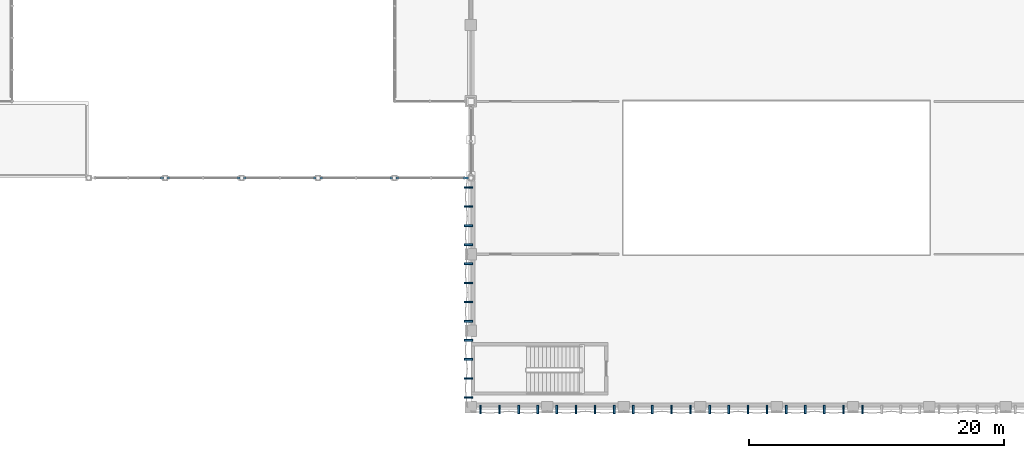
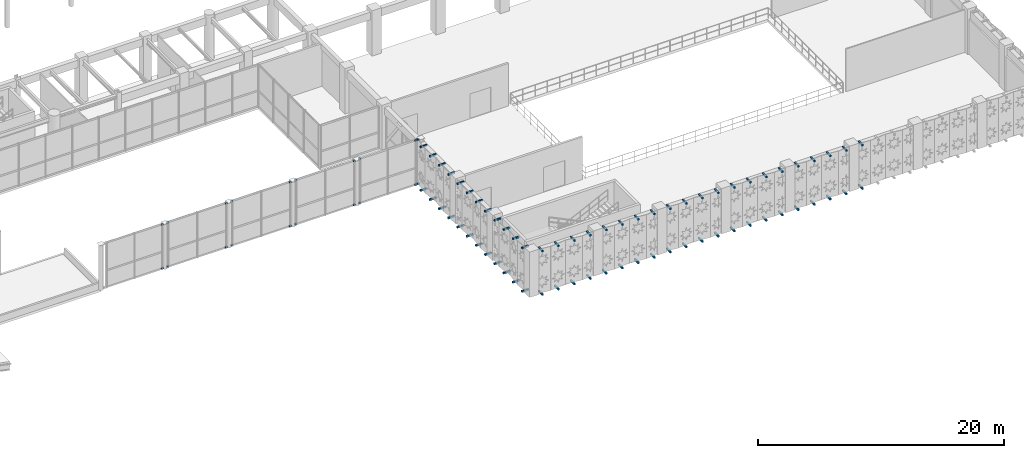
# One storey, part 115 of 133: 84 discrete accessories.
"""IFC4 building model written with IfcOpenShell, lengths in metres."""

from ifc_helpers import new_model, si_unit, direction, frame, origin, origin_2d, place, context, subcontext, project, spatial, rectangle, extrude, material, type_object, element, save


model = new_model("IFC4")

# Units and contexts
model_context = context("Model", 3, precision=1e-05, world=origin(), true_north=direction((0.0, 1.0)))
body_context = subcontext(model_context, "Body", "Model", "MODEL_VIEW")
ifc_project = project(units=[si_unit("LENGTHUNIT", "METRE"), si_unit("AREAUNIT", "SQUARE_METRE"), si_unit("VOLUMEUNIT", "CUBIC_METRE"), si_unit("PLANEANGLEUNIT", "RADIAN"), si_unit("MASSUNIT", "GRAM", prefix="KILO"), si_unit("THERMODYNAMICTEMPERATUREUNIT", "KELVIN"), si_unit("POWERUNIT", "WATT")], contexts=[model_context])

# Site, building, storey
site_placement = place(None, origin())
site = spatial("IfcSite", under=ifc_project, at=site_placement, CompositionType="ELEMENT")
building_placement = place(site_placement, origin())
building = spatial("IfcBuilding", under=site, at=building_placement, Name="Phaisarnlok Congress Hotel", CompositionType="ELEMENT")
storey_placement = place(building_placement, frame((0.0, 0.0, 6.0)))
storey = spatial("IfcBuildingStorey", under=building, at=storey_placement, Name="L01", CompositionType="ELEMENT", Elevation=6.0)

# Discrete accessories
ifc_material = material(Name="Steel S355", Category="steel")
discrete_accessory_type = type_object("IfcDiscreteAccessoryType", Name="ACC-BRK-STL", PredefinedType="BRACKET", material=ifc_material)
for number, where, z_axis, x_axis, name in (
    (1, (71.75, 18.0, -0.009765625), (0.0, 0.0, 1.0), (1.0, 0.0, 0.0), "Curtain wall steel jamb spider bracket BK-01"),
    (2, (71.75, 18.0, 4.35986328125), (0.0, 0.0, 1.0), (1.0, 0.0, 0.0), "Curtain wall steel jamb spider bracket BK-01"),
    (3, (72.25, 18.0, -0.009765625), (0.0, 0.0, 1.0), (1.0, 0.0, 0.0), "Curtain wall steel jamb spider bracket BK-01"),
    (4, (72.25, 18.0, 4.35986328125), (0.0, 0.0, 1.0), (1.0, 0.0, 0.0), "Curtain wall steel jamb spider bracket BK-01"),
    (5, (77.75, 18.0, -0.009765625), (0.0, 0.0, 1.0), (1.0, 0.0, 0.0), "Curtain wall steel jamb spider bracket BK-01"),
    (6, (77.75, 18.0, 4.35986328125), (0.0, 0.0, 1.0), (1.0, 0.0, 0.0), "Curtain wall steel jamb spider bracket BK-01"),
    (7, (78.25, 18.0, -0.009765625), (0.0, 0.0, 1.0), (1.0, 0.0, 0.0), "Curtain wall steel jamb spider bracket BK-01"),
    (8, (78.25, 18.0, 4.35986328125), (0.0, 0.0, 1.0), (1.0, 0.0, 0.0), "Curtain wall steel jamb spider bracket BK-01"),
    (9, (83.75, 18.0, -0.009765625), (0.0, 0.0, 1.0), (1.0, 0.0, 0.0), "Curtain wall steel jamb spider bracket BK-01"),
    (10, (83.75, 18.0, 4.35986328125), (0.0, 0.0, 1.0), (1.0, 0.0, 0.0), "Curtain wall steel jamb spider bracket BK-01"),
    (11, (84.25, 18.0, -0.009765625), (0.0, 0.0, 1.0), (1.0, 0.0, 0.0), "Curtain wall steel jamb spider bracket BK-01"),
    (12, (84.25, 18.0, 4.35986328125), (0.0, 0.0, 1.0), (1.0, 0.0, 0.0), "Curtain wall steel jamb spider bracket BK-01"),
    (13, (89.75, 18.0, -0.009765625), (0.0, 0.0, 1.0), (1.0, 0.0, 0.0), "Curtain wall steel jamb spider bracket BK-01"),
    (14, (89.75, 18.0, 4.35986328125), (0.0, 0.0, 1.0), (1.0, 0.0, 0.0), "Curtain wall steel jamb spider bracket BK-01"),
    (15, (90.25, 18.0, -0.009765625), (0.0, 0.0, 1.0), (1.0, 0.0, 0.0), "Curtain wall steel jamb spider bracket BK-01"),
    (16, (90.25, 18.0, 4.35986328125), (0.0, 0.0, 1.0), (1.0, 0.0, 0.0), "Curtain wall steel jamb spider bracket BK-01"),
):
    element("IfcDiscreteAccessory", number, at=place(storey_placement, frame(where, z_axis=z_axis, x_axis=x_axis)), inside=storey, type_object=discrete_accessory_type, Name=name, PredefinedType="BRACKET", context=body_context, shape_type="SweptSolid", body=[
        extrude(rectangle(XDim=0.219970703125, YDim=0.159912109375, at=origin_2d()), origin(), (0.0, 0.0, 1.0), 0.139892578125),
    ])
for number, where, z_axis, x_axis, name in (
    (17, (95.6298828125, 18.0, -0.009765625), (0.0, 0.0, 1.0), (1.0, 0.0, 0.0), "Curtain wall steel jamb spider bracket BK-01"),
    (18, (95.6298828125, 18.0, 4.35986328125), (0.0, 0.0, 1.0), (1.0, 0.0, 0.0), "Curtain wall steel jamb spider bracket BK-01"),
):
    element("IfcDiscreteAccessory", number, at=place(storey_placement, frame(where, z_axis=z_axis, x_axis=x_axis)), inside=storey, type_object=discrete_accessory_type, Name=name, PredefinedType="BRACKET", context=body_context, shape_type="SweptSolid", body=[
        extrude(rectangle(XDim=0.4599609375, YDim=0.159912109375, at=origin_2d()), origin(), (0.0, 0.0, 1.0), 0.139892578125),
    ])
for number, where, z_axis, x_axis, name in (
    (19, (96.75, -0.183837890625, -0.18017578125), (0.0, 0.0, 1.0), (1.0, 0.0, 0.0), "Solar screen steel outrigger bracket BK-01"),
    (20, (96.75, -0.183837890625, 4.1201171875), (0.0, 0.0, 1.0), (1.0, 0.0, 0.0), "Solar screen steel outrigger bracket BK-01"),
    (21, (98.25, -0.183837890625, -0.18017578125), (0.0, 0.0, 1.0), (1.0, 0.0, 0.0), "Solar screen steel outrigger bracket BK-01"),
    (22, (98.25, -0.183837890625, 4.1201171875), (0.0, 0.0, 1.0), (1.0, 0.0, 0.0), "Solar screen steel outrigger bracket BK-01"),
    (23, (99.75, -0.183837890625, -0.18017578125), (0.0, 0.0, 1.0), (1.0, 0.0, 0.0), "Solar screen steel outrigger bracket BK-01"),
    (24, (99.75, -0.183837890625, 4.1201171875), (0.0, 0.0, 1.0), (1.0, 0.0, 0.0), "Solar screen steel outrigger bracket BK-01"),
    (25, (101.25, -0.183837890625, -0.18017578125), (0.0, 0.0, 1.0), (1.0, 0.0, 0.0), "Solar screen steel outrigger bracket BK-01"),
    (26, (101.25, -0.183837890625, 4.1201171875), (0.0, 0.0, 1.0), (1.0, 0.0, 0.0), "Solar screen steel outrigger bracket BK-01"),
    (27, (102.75, -0.183837890625, -0.18017578125), (0.0, 0.0, 1.0), (1.0, 0.0, 0.0), "Solar screen steel outrigger bracket BK-01"),
    (28, (102.75, -0.183837890625, 4.1201171875), (0.0, 0.0, 1.0), (1.0, 0.0, 0.0), "Solar screen steel outrigger bracket BK-01"),
    (29, (104.25, -0.183837890625, -0.18017578125), (0.0, 0.0, 1.0), (1.0, 0.0, 0.0), "Solar screen steel outrigger bracket BK-01"),
    (30, (104.25, -0.183837890625, 4.1201171875), (0.0, 0.0, 1.0), (1.0, 0.0, 0.0), "Solar screen steel outrigger bracket BK-01"),
    (31, (105.75, -0.183837890625, -0.18017578125), (0.0, 0.0, 1.0), (1.0, 0.0, 0.0), "Solar screen steel outrigger bracket BK-01"),
    (32, (105.75, -0.183837890625, 4.1201171875), (0.0, 0.0, 1.0), (1.0, 0.0, 0.0), "Solar screen steel outrigger bracket BK-01"),
    (33, (107.25, -0.183837890625, -0.18017578125), (0.0, 0.0, 1.0), (1.0, 0.0, 0.0), "Solar screen steel outrigger bracket BK-01"),
    (34, (107.25, -0.183837890625, 4.1201171875), (0.0, 0.0, 1.0), (1.0, 0.0, 0.0), "Solar screen steel outrigger bracket BK-01"),
    (35, (108.75, -0.183837890625, -0.18017578125), (0.0, 0.0, 1.0), (1.0, 0.0, 0.0), "Solar screen steel outrigger bracket BK-01"),
    (36, (108.75, -0.183837890625, 4.1201171875), (0.0, 0.0, 1.0), (1.0, 0.0, 0.0), "Solar screen steel outrigger bracket BK-01"),
    (37, (110.25, -0.183837890625, -0.18017578125), (0.0, 0.0, 1.0), (1.0, 0.0, 0.0), "Solar screen steel outrigger bracket BK-01"),
    (38, (110.25, -0.183837890625, 4.1201171875), (0.0, 0.0, 1.0), (1.0, 0.0, 0.0), "Solar screen steel outrigger bracket BK-01"),
    (39, (111.75, -0.183837890625, -0.18017578125), (0.0, 0.0, 1.0), (1.0, 0.0, 0.0), "Solar screen steel outrigger bracket BK-01"),
    (40, (111.75, -0.183837890625, 4.1201171875), (0.0, 0.0, 1.0), (1.0, 0.0, 0.0), "Solar screen steel outrigger bracket BK-01"),
    (41, (113.25, -0.183837890625, -0.18017578125), (0.0, 0.0, 1.0), (1.0, 0.0, 0.0), "Solar screen steel outrigger bracket BK-01"),
    (42, (113.25, -0.183837890625, 4.1201171875), (0.0, 0.0, 1.0), (1.0, 0.0, 0.0), "Solar screen steel outrigger bracket BK-01"),
    (43, (114.75, -0.183837890625, -0.18017578125), (0.0, 0.0, 1.0), (1.0, 0.0, 0.0), "Solar screen steel outrigger bracket BK-01"),
    (44, (114.75, -0.183837890625, 4.1201171875), (0.0, 0.0, 1.0), (1.0, 0.0, 0.0), "Solar screen steel outrigger bracket BK-01"),
    (45, (116.25, -0.183837890625, -0.18017578125), (0.0, 0.0, 1.0), (1.0, 0.0, 0.0), "Solar screen steel outrigger bracket BK-01"),
    (46, (116.25, -0.183837890625, 4.1201171875), (0.0, 0.0, 1.0), (1.0, 0.0, 0.0), "Solar screen steel outrigger bracket BK-01"),
    (47, (117.75, -0.183837890625, -0.18017578125), (0.0, 0.0, 1.0), (1.0, 0.0, 0.0), "Solar screen steel outrigger bracket BK-01"),
    (48, (117.75, -0.183837890625, 4.1201171875), (0.0, 0.0, 1.0), (1.0, 0.0, 0.0), "Solar screen steel outrigger bracket BK-01"),
    (49, (119.25, -0.183837890625, -0.18017578125), (0.0, 0.0, 1.0), (1.0, 0.0, 0.0), "Solar screen steel outrigger bracket BK-01"),
    (50, (119.25, -0.183837890625, 4.1201171875), (0.0, 0.0, 1.0), (1.0, 0.0, 0.0), "Solar screen steel outrigger bracket BK-01"),
    (51, (120.75, -0.183837890625, -0.18017578125), (0.0, 0.0, 1.0), (1.0, 0.0, 0.0), "Solar screen steel outrigger bracket BK-01"),
    (52, (120.75, -0.183837890625, 4.1201171875), (0.0, 0.0, 1.0), (1.0, 0.0, 0.0), "Solar screen steel outrigger bracket BK-01"),
    (53, (122.25, -0.183837890625, -0.18017578125), (0.0, 0.0, 1.0), (1.0, 0.0, 0.0), "Solar screen steel outrigger bracket BK-01"),
    (54, (122.25, -0.183837890625, 4.1201171875), (0.0, 0.0, 1.0), (1.0, 0.0, 0.0), "Solar screen steel outrigger bracket BK-01"),
    (55, (123.75, -0.183837890625, -0.18017578125), (0.0, 0.0, 1.0), (1.0, 0.0, 0.0), "Solar screen steel outrigger bracket BK-01"),
    (56, (123.75, -0.183837890625, 4.1201171875), (0.0, 0.0, 1.0), (1.0, 0.0, 0.0), "Solar screen steel outrigger bracket BK-01"),
    (57, (125.25, -0.183837890625, -0.18017578125), (0.0, 0.0, 1.0), (1.0, 0.0, 0.0), "Solar screen steel outrigger bracket BK-01"),
    (58, (125.25, -0.183837890625, 4.1201171875), (0.0, 0.0, 1.0), (1.0, 0.0, 0.0), "Solar screen steel outrigger bracket BK-01"),
    (59, (126.75, -0.183837890625, -0.18017578125), (0.0, 0.0, 1.0), (1.0, 0.0, 0.0), "Solar screen steel outrigger bracket BK-01"),
    (60, (126.75, -0.183837890625, 4.1201171875), (0.0, 0.0, 1.0), (1.0, 0.0, 0.0), "Solar screen steel outrigger bracket BK-01"),
):
    element("IfcDiscreteAccessory", number, at=place(storey_placement, frame(where, z_axis=z_axis, x_axis=x_axis)), inside=storey, type_object=discrete_accessory_type, Name=name, PredefinedType="BRACKET", context=body_context, shape_type="SweptSolid", body=[
        extrude(rectangle(XDim=0.139892578125, YDim=0.647705078125, at=origin_2d()), origin(), (0.0, 0.0, 1.0), 0.159912109375),
    ])
for number, where, z_axis, x_axis, name in (
    (61, (95.816162109375, 0.75, -0.18017578125), (0.0, 0.0, 1.0), (1.0, 0.0, 0.0), "Solar screen steel outrigger bracket BK-01"),
    (62, (95.816162109375, 0.75, 4.1201171875), (0.0, 0.0, 1.0), (1.0, 0.0, 0.0), "Solar screen steel outrigger bracket BK-01"),
    (63, (95.816162109375, 2.25, -0.18017578125), (0.0, 0.0, 1.0), (1.0, 0.0, 0.0), "Solar screen steel outrigger bracket BK-01"),
    (64, (95.816162109375, 2.25, 4.1201171875), (0.0, 0.0, 1.0), (1.0, 0.0, 0.0), "Solar screen steel outrigger bracket BK-01"),
    (65, (95.816162109375, 3.75, -0.18017578125), (0.0, 0.0, 1.0), (1.0, 0.0, 0.0), "Solar screen steel outrigger bracket BK-01"),
    (66, (95.816162109375, 3.75, 4.1201171875), (0.0, 0.0, 1.0), (1.0, 0.0, 0.0), "Solar screen steel outrigger bracket BK-01"),
    (67, (95.816162109375, 5.25, -0.18017578125), (0.0, 0.0, 1.0), (1.0, 0.0, 0.0), "Solar screen steel outrigger bracket BK-01"),
    (68, (95.816162109375, 5.25, 4.1201171875), (0.0, 0.0, 1.0), (1.0, 0.0, 0.0), "Solar screen steel outrigger bracket BK-01"),
    (69, (95.816162109375, 6.75, -0.18017578125), (0.0, 0.0, 1.0), (1.0, 0.0, 0.0), "Solar screen steel outrigger bracket BK-01"),
    (70, (95.816162109375, 6.75, 4.1201171875), (0.0, 0.0, 1.0), (1.0, 0.0, 0.0), "Solar screen steel outrigger bracket BK-01"),
    (71, (95.816162109375, 8.25, -0.18017578125), (0.0, 0.0, 1.0), (1.0, 0.0, 0.0), "Solar screen steel outrigger bracket BK-01"),
    (72, (95.816162109375, 8.25, 4.1201171875), (0.0, 0.0, 1.0), (1.0, 0.0, 0.0), "Solar screen steel outrigger bracket BK-01"),
    (73, (95.816162109375, 9.75, -0.18017578125), (0.0, 0.0, 1.0), (1.0, 0.0, 0.0), "Solar screen steel outrigger bracket BK-01"),
    (74, (95.816162109375, 9.75, 4.1201171875), (0.0, 0.0, 1.0), (1.0, 0.0, 0.0), "Solar screen steel outrigger bracket BK-01"),
    (75, (95.816162109375, 11.25, -0.18017578125), (0.0, 0.0, 1.0), (1.0, 0.0, 0.0), "Solar screen steel outrigger bracket BK-01"),
    (76, (95.816162109375, 11.25, 4.1201171875), (0.0, 0.0, 1.0), (1.0, 0.0, 0.0), "Solar screen steel outrigger bracket BK-01"),
    (77, (95.816162109375, 12.75, -0.18017578125), (0.0, 0.0, 1.0), (1.0, 0.0, 0.0), "Solar screen steel outrigger bracket BK-01"),
    (78, (95.816162109375, 12.75, 4.1201171875), (0.0, 0.0, 1.0), (1.0, 0.0, 0.0), "Solar screen steel outrigger bracket BK-01"),
    (79, (95.816162109375, 14.25, -0.18017578125), (0.0, 0.0, 1.0), (1.0, 0.0, 0.0), "Solar screen steel outrigger bracket BK-01"),
    (80, (95.816162109375, 14.25, 4.1201171875), (0.0, 0.0, 1.0), (1.0, 0.0, 0.0), "Solar screen steel outrigger bracket BK-01"),
    (81, (95.816162109375, 15.75, -0.18017578125), (0.0, 0.0, 1.0), (1.0, 0.0, 0.0), "Solar screen steel outrigger bracket BK-01"),
    (82, (95.816162109375, 15.75, 4.1201171875), (0.0, 0.0, 1.0), (1.0, 0.0, 0.0), "Solar screen steel outrigger bracket BK-01"),
    (83, (95.816162109375, 17.25, -0.18017578125), (0.0, 0.0, 1.0), (1.0, 0.0, 0.0), "Solar screen steel outrigger bracket BK-01"),
    (84, (95.816162109375, 17.25, 4.1201171875), (0.0, 0.0, 1.0), (1.0, 0.0, 0.0), "Solar screen steel outrigger bracket BK-01"),
):
    element("IfcDiscreteAccessory", number, at=place(storey_placement, frame(where, z_axis=z_axis, x_axis=x_axis)), inside=storey, type_object=discrete_accessory_type, Name=name, PredefinedType="BRACKET", context=body_context, shape_type="SweptSolid", body=[
        extrude(rectangle(XDim=0.647705078125, YDim=0.139892578125, at=origin_2d()), origin(), (0.0, 0.0, 1.0), 0.159912109375),
    ])

save(model, "model.ifc")
